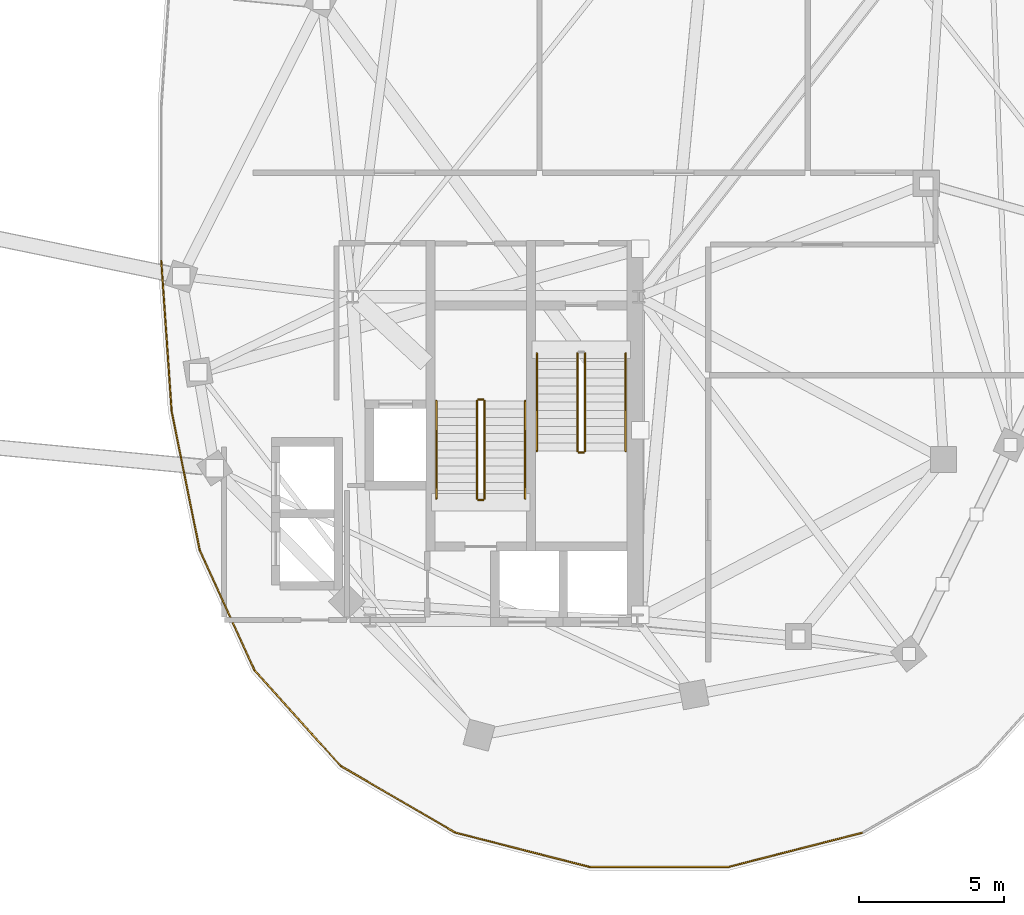
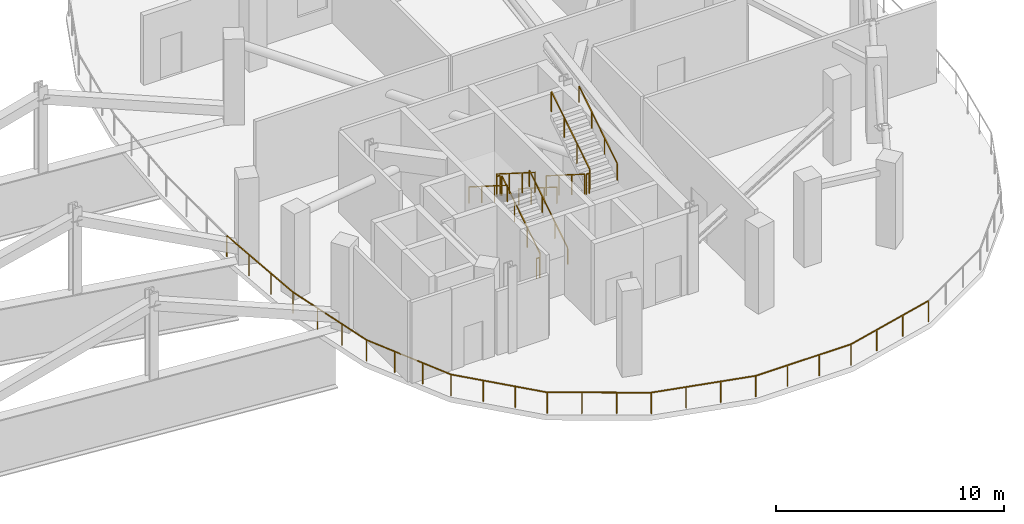
# One storey, part 14 of 16: 15 railings.
"""IFC4 building model written with IfcOpenShell, lengths in metres."""

from ifc_helpers import new_model, si_unit, direction, frame, origin, origin_2d, place, context, subcontext, project, spatial, rectangle, extrude, material, type_object, element, save


model = new_model("IFC4")

# Units and contexts
model_context = context("Model", 3, precision=1e-05, world=origin(), true_north=direction((0.0, 1.0)))
body_context = subcontext(model_context, "Body", "Model", "MODEL_VIEW")
ifc_project = project(units=[si_unit("LENGTHUNIT", "METRE"), si_unit("AREAUNIT", "SQUARE_METRE"), si_unit("VOLUMEUNIT", "CUBIC_METRE"), si_unit("PLANEANGLEUNIT", "RADIAN"), si_unit("MASSUNIT", "GRAM", prefix="KILO"), si_unit("THERMODYNAMICTEMPERATUREUNIT", "KELVIN"), si_unit("POWERUNIT", "WATT")], contexts=[model_context])

# Site, building, storey
site_placement = place(None, origin())
site = spatial("IfcSite", under=ifc_project, at=site_placement, CompositionType="ELEMENT")
building_placement = place(site_placement, origin())
building = spatial("IfcBuilding", under=site, at=building_placement, Name="Cundina Bronze Exchange", CompositionType="ELEMENT")
storey_placement = place(building_placement, frame((0.0, 0.0, 235.0)))
storey = spatial("IfcBuildingStorey", under=building, at=storey_placement, Name="L62", CompositionType="ELEMENT", Elevation=235.0)

# Railings
ifc_material_1 = material(Name="Anodised Bronze Aluminium 6063-T6", Category="aluminium")
railing_type_1 = type_object("IfcRailingType", Name="RLG-GRD-1150", PredefinedType="GUARDRAIL", material=ifc_material_1)
railing_1_placement = place(storey_placement, frame((39.01611328125, -22.351806640625, 0.0)))
element("IfcRailing", 1, at=railing_1_placement, inside=storey, type_object=railing_type_1, Name="L62 Perimeter Safety Guardrail 04", PredefinedType="GUARDRAIL", context=body_context, shape_type="SweptSolid", body=[
    extrude(rectangle(XDim=0.048095703125, YDim=0.048095703125, at=origin_2d()), frame((0.0, 0.0, 1.1259765625), z_axis=(-0.968744989664, -0.248058753123, 0.0), x_axis=(0.248058753123, -0.968744989664, 0.0)), (0.0, 0.0, 1.0), 4.749755859375),
    extrude(rectangle(XDim=0.048095703125, YDim=0.048095703125, at=origin_2d()), frame((-4.601318359375, -1.17822265625, 1.1259765625), z_axis=(-1.0, 0.0, 0.0), x_axis=(0.0, -1.0, 0.0)), (0.0, 0.0, 1.0), 4.82958984375),
    extrude(rectangle(XDim=0.0419921875, YDim=0.0419921875, at=origin_2d()), origin(), (0.0, 0.0, 1.0), 1.101806640625),
    extrude(rectangle(XDim=0.0419921875, YDim=0.0419921875, at=origin_2d()), frame((-1.53369140625, -0.392822265625, 0.0)), (0.0, 0.0, 1.0), 1.101806640625),
    extrude(rectangle(XDim=0.0419921875, YDim=0.0419921875, at=origin_2d()), frame((-3.067626953125, -0.785400390625, 0.0)), (0.0, 0.0, 1.0), 1.101806640625),
    extrude(rectangle(XDim=0.0419921875, YDim=0.0419921875, at=origin_2d()), frame((-4.601318359375, -1.17822265625, 0.0)), (0.0, 0.0, 1.0), 1.101806640625),
    extrude(rectangle(XDim=0.0419921875, YDim=0.0419921875, at=origin_2d()), frame((-6.211181640625, -1.17822265625, 0.0)), (0.0, 0.0, 1.0), 1.101806640625),
    extrude(rectangle(XDim=0.0419921875, YDim=0.0419921875, at=origin_2d()), frame((-7.821044921875, -1.17822265625, 0.0)), (0.0, 0.0, 1.0), 1.101806640625),
    extrude(rectangle(XDim=0.0419921875, YDim=0.0419921875, at=origin_2d()), frame((-9.430908203125, -1.17822265625, 0.0)), (0.0, 0.0, 1.0), 1.101806640625),
])
railing_2_placement = place(storey_placement, frame((29.585205078125, -23.530029296875, 0.0)))
element("IfcRailing", 2, at=railing_2_placement, inside=storey, type_object=railing_type_1, Name="L62 Perimeter Safety Guardrail 05", PredefinedType="GUARDRAIL", context=body_context, shape_type="SweptSolid", body=[
    extrude(rectangle(XDim=0.048095703125, YDim=0.048095703125, at=origin_2d()), frame((0.0, 0.0, 1.1259765625), z_axis=(-0.968744989664, 0.248058753123, 0.0), x_axis=(-0.248058753123, -0.968744989664, 0.0)), (0.0, 0.0, 1.0), 4.749755859375),
    extrude(rectangle(XDim=0.048095703125, YDim=0.048095703125, at=origin_2d()), frame((-4.601318359375, 1.17822265625, 1.1259765625), z_axis=(-0.864468804017, 0.502686469762, 0.0), x_axis=(-0.502686469762, -0.864468804017, 0.0)), (0.0, 0.0, 1.0), 4.56396484375),
    extrude(rectangle(XDim=0.0419921875, YDim=0.0419921875, at=origin_2d()), origin(), (0.0, 0.0, 1.0), 1.101806640625),
    extrude(rectangle(XDim=0.0419921875, YDim=0.0419921875, at=origin_2d()), frame((-1.53369140625, 0.392822265625, 0.0)), (0.0, 0.0, 1.0), 1.101806640625),
    extrude(rectangle(XDim=0.0419921875, YDim=0.0419921875, at=origin_2d()), frame((-3.067626953125, 0.785400390625, 0.0)), (0.0, 0.0, 1.0), 1.101806640625),
    extrude(rectangle(XDim=0.0419921875, YDim=0.0419921875, at=origin_2d()), frame((-4.601318359375, 1.17822265625, 0.0)), (0.0, 0.0, 1.0), 1.101806640625),
    extrude(rectangle(XDim=0.0419921875, YDim=0.0419921875, at=origin_2d()), frame((-5.91650390625, 1.94287109375, 0.0)), (0.0, 0.0, 1.0), 1.101806640625),
    extrude(rectangle(XDim=0.0419921875, YDim=0.0419921875, at=origin_2d()), frame((-7.2314453125, 2.707763671875, 0.0)), (0.0, 0.0, 1.0), 1.101806640625),
    extrude(rectangle(XDim=0.0419921875, YDim=0.0419921875, at=origin_2d()), frame((-8.546630859375, 3.472412109375, 0.0)), (0.0, 0.0, 1.0), 1.101806640625),
])
railing_3_placement = place(storey_placement, frame((21.03857421875, -20.0576171875, 0.0)))
element("IfcRailing", 3, at=railing_3_placement, inside=storey, type_object=railing_type_1, Name="L62 Perimeter Safety Guardrail 06", PredefinedType="GUARDRAIL", context=body_context, shape_type="SweptSolid", body=[
    extrude(rectangle(XDim=0.048095703125, YDim=0.048095703125, at=origin_2d()), frame((0.0, 0.0, 1.1259765625), z_axis=(-0.669381252421, 0.742919066189, 0.0), x_axis=(-0.742919066189, -0.669381252421, 0.0)), (0.0, 0.0, 1.0), 4.435546875),
    extrude(rectangle(XDim=0.048095703125, YDim=0.048095703125, at=origin_2d()), frame((-2.968994140625, 3.295166015625, 1.1259765625), z_axis=(-0.415419797692, 0.909629810244, 0.0), x_axis=(-0.909629810244, -0.415419797692, 0.0)), (0.0, 0.0, 1.0), 4.548828125),
    extrude(rectangle(XDim=0.0419921875, YDim=0.0419921875, at=origin_2d()), origin(), (0.0, 0.0, 1.0), 1.101806640625),
    extrude(rectangle(XDim=0.0419921875, YDim=0.0419921875, at=origin_2d()), frame((-0.98974609375, 1.098388671875, 0.0)), (0.0, 0.0, 1.0), 1.101806640625),
    extrude(rectangle(XDim=0.0419921875, YDim=0.0419921875, at=origin_2d()), frame((-1.979248046875, 2.19677734375, 0.0)), (0.0, 0.0, 1.0), 1.101806640625),
    extrude(rectangle(XDim=0.0419921875, YDim=0.0419921875, at=origin_2d()), frame((-2.968994140625, 3.295166015625, 0.0)), (0.0, 0.0, 1.0), 1.101806640625),
    extrude(rectangle(XDim=0.0419921875, YDim=0.0419921875, at=origin_2d()), frame((-3.598876953125, 4.67431640625, 0.0)), (0.0, 0.0, 1.0), 1.101806640625),
    extrude(rectangle(XDim=0.0419921875, YDim=0.0419921875, at=origin_2d()), frame((-4.228759765625, 6.0537109375, 0.0)), (0.0, 0.0, 1.0), 1.101806640625),
    extrude(rectangle(XDim=0.0419921875, YDim=0.0419921875, at=origin_2d()), frame((-4.858642578125, 7.432861328125, 0.0)), (0.0, 0.0, 1.0), 1.101806640625),
])
railing_4_placement = place(storey_placement, frame((16.179931640625, -12.624755859375, 0.0)))
element("IfcRailing", 4, at=railing_4_placement, inside=storey, type_object=railing_type_1, Name="L62 Perimeter Safety Guardrail 07", PredefinedType="GUARDRAIL", context=body_context, shape_type="SweptSolid", body=[
    extrude(rectangle(XDim=0.048095703125, YDim=0.048095703125, at=origin_2d()), frame((0.0, 0.0, 1.1259765625), z_axis=(-0.198060616224, 0.980189773616, 0.0), x_axis=(-0.980189773616, -0.198060616224, 0.0)), (0.0, 0.0, 1.0), 4.87646484375),
    extrude(rectangle(XDim=0.048095703125, YDim=0.048095703125, at=origin_2d()), frame((-0.9658203125, 4.77978515625, 1.1259765625), z_axis=(-0.068548934488, 0.997647755263, 0.0), x_axis=(-0.997647755263, -0.068548934488, 0.0)), (0.0, 0.0, 1.0), 5.1962890625),
    extrude(rectangle(XDim=0.0419921875, YDim=0.0419921875, at=origin_2d()), origin(), (0.0, 0.0, 1.0), 1.101806640625),
    extrude(rectangle(XDim=0.0419921875, YDim=0.0419921875, at=origin_2d()), frame((-0.322021484375, 1.59326171875, 0.0)), (0.0, 0.0, 1.0), 1.101806640625),
    extrude(rectangle(XDim=0.0419921875, YDim=0.0419921875, at=origin_2d()), frame((-0.643798828125, 3.1865234375, 0.0)), (0.0, 0.0, 1.0), 1.101806640625),
    extrude(rectangle(XDim=0.0419921875, YDim=0.0419921875, at=origin_2d()), frame((-0.9658203125, 4.77978515625, 0.0)), (0.0, 0.0, 1.0), 1.101806640625),
    extrude(rectangle(XDim=0.0419921875, YDim=0.0419921875, at=origin_2d()), frame((-1.08447265625, 6.5078125, 0.0)), (0.0, 0.0, 1.0), 1.101806640625),
    extrude(rectangle(XDim=0.0419921875, YDim=0.0419921875, at=origin_2d()), frame((-1.203369140625, 8.23583984375, 0.0)), (0.0, 0.0, 1.0), 1.101806640625),
    extrude(rectangle(XDim=0.0419921875, YDim=0.0419921875, at=origin_2d()), frame((-1.322021484375, 9.9638671875, 0.0)), (0.0, 0.0, 1.0), 1.101806640625),
])
ifc_material_2 = material(Name="Steel ASTM A36 Painted", Category="steel")
railing_type_2 = type_object("IfcRailingType", Name="RLG-HND-900", PredefinedType="HANDRAIL", material=ifc_material_2)
railing_5_placement = place(storey_placement, frame((27.7900390625, -5.85009765625, 0.177001953125)))
element("IfcRailing", 5, at=railing_5_placement, inside=storey, type_object=railing_type_2, Name="L62 ST-E1 stair handrail 1", PredefinedType="HANDRAIL", context=body_context, shape_type="SweptSolid", body=[
    extrude(rectangle(XDim=0.048095703125, YDim=0.048095703125, at=origin_2d()), frame((0.0, 0.0, 0.8759765625), z_axis=(0.0, -0.845372108799, 0.534177870812), x_axis=(1.0, 0.0, 0.0)), (0.0, 0.0, 1.0), 3.974365234375),
    extrude(rectangle(XDim=0.0419921875, YDim=0.0419921875, at=origin_2d()), origin(), (0.0, 0.0, 1.0), 0.851806640625),
    extrude(rectangle(XDim=0.0419921875, YDim=0.0419921875, at=origin_2d()), frame((0.0, -1.119873046875, 0.707763671875)), (0.0, 0.0, 1.0), 0.851806640625),
    extrude(rectangle(XDim=0.0419921875, YDim=0.0419921875, at=origin_2d()), frame((0.0, -2.239990234375, 1.415283203125)), (0.0, 0.0, 1.0), 0.851806640625),
    extrude(rectangle(XDim=0.0419921875, YDim=0.0419921875, at=origin_2d()), frame((0.0, -3.35986328125, 2.123046875)), (0.0, 0.0, 1.0), 0.851806640625),
])
railing_6_placement = place(storey_placement, frame((30.85009765625, -9.2099609375, 2.476806640625)))
element("IfcRailing", 6, at=railing_6_placement, inside=storey, type_object=railing_type_2, Name="L62 ST-E1 stair handrail 2", PredefinedType="HANDRAIL", context=body_context, shape_type="SweptSolid", body=[
    extrude(rectangle(XDim=0.048095703125, YDim=0.048095703125, at=origin_2d()), frame((0.0, 0.0, 0.8759765625), z_axis=(0.0, 0.845344368971, 0.534221768416), x_axis=(-1.0, 0.0, 0.0)), (0.0, 0.0, 1.0), 3.974609375),
    extrude(rectangle(XDim=0.0419921875, YDim=0.0419921875, at=origin_2d()), origin(), (0.0, 0.0, 1.0), 0.851806640625),
    extrude(rectangle(XDim=0.0419921875, YDim=0.0419921875, at=origin_2d()), frame((0.0, 1.119873046875, 0.707763671875)), (0.0, 0.0, 1.0), 0.851806640625),
    extrude(rectangle(XDim=0.0419921875, YDim=0.0419921875, at=origin_2d()), frame((0.0, 2.239990234375, 1.41552734375)), (0.0, 0.0, 1.0), 0.851806640625),
    extrude(rectangle(XDim=0.0419921875, YDim=0.0419921875, at=origin_2d()), frame((0.0, 3.35986328125, 2.123291015625)), (0.0, 0.0, 1.0), 0.851806640625),
])
railing_7_placement = place(storey_placement, frame((27.389892578125, -10.85009765625, 0.177001953125)))
element("IfcRailing", 7, at=railing_7_placement, inside=storey, type_object=railing_type_2, Name="L62 ST-E2 stair handrail 1", PredefinedType="HANDRAIL", context=body_context, shape_type="SweptSolid", body=[
    extrude(rectangle(XDim=0.048095703125, YDim=0.048095703125, at=origin_2d()), frame((0.0, 0.0, 0.8759765625), z_axis=(0.0, 0.845389635667, 0.534150132366), x_axis=(-1.0, 0.0, 0.0)), (0.0, 0.0, 1.0), 3.974609375),
    extrude(rectangle(XDim=0.0419921875, YDim=0.0419921875, at=origin_2d()), origin(), (0.0, 0.0, 1.0), 0.851806640625),
    extrude(rectangle(XDim=0.0419921875, YDim=0.0419921875, at=origin_2d()), frame((0.0, 1.1201171875, 0.707763671875)), (0.0, 0.0, 1.0), 0.851806640625),
    extrude(rectangle(XDim=0.0419921875, YDim=0.0419921875, at=origin_2d()), frame((0.0, 2.239990234375, 1.415283203125)), (0.0, 0.0, 1.0), 0.851806640625),
    extrude(rectangle(XDim=0.0419921875, YDim=0.0419921875, at=origin_2d()), frame((0.0, 3.360107421875, 2.123046875)), (0.0, 0.0, 1.0), 0.851806640625),
])
railing_8_placement = place(storey_placement, frame((24.330078125, -7.489990234375, 2.476806640625)))
element("IfcRailing", 8, at=railing_8_placement, inside=storey, type_object=railing_type_2, Name="L62 ST-E2 stair handrail 2", PredefinedType="HANDRAIL", context=body_context, shape_type="SweptSolid", body=[
    extrude(rectangle(XDim=0.048095703125, YDim=0.048095703125, at=origin_2d()), frame((0.0, 0.0, 0.8759765625), z_axis=(0.0, -0.845361898145, 0.534194029511), x_axis=(1.0, 0.0, 0.0)), (0.0, 0.0, 1.0), 3.974853515625),
    extrude(rectangle(XDim=0.0419921875, YDim=0.0419921875, at=origin_2d()), origin(), (0.0, 0.0, 1.0), 0.851806640625),
    extrude(rectangle(XDim=0.0419921875, YDim=0.0419921875, at=origin_2d()), frame((0.0, -1.1201171875, 0.707763671875)), (0.0, 0.0, 1.0), 0.851806640625),
    extrude(rectangle(XDim=0.0419921875, YDim=0.0419921875, at=origin_2d()), frame((0.0, -2.239990234375, 1.41552734375)), (0.0, 0.0, 1.0), 0.851806640625),
    extrude(rectangle(XDim=0.0419921875, YDim=0.0419921875, at=origin_2d()), frame((0.0, -3.360107421875, 2.123291015625)), (0.0, 0.0, 1.0), 0.851806640625),
])
railing_type_3 = type_object("IfcRailingType", Name="RLG-STG-1100", PredefinedType="GUARDRAIL", material=ifc_material_2)
railing_9_placement = place(storey_placement, frame((29.18994140625, -5.85009765625, 0.177001953125)))
element("IfcRailing", 9, at=railing_9_placement, inside=storey, type_object=railing_type_3, Name="L62 ST-E1 stair guard 1", PredefinedType="GUARDRAIL", context=body_context, shape_type="SweptSolid", body=[
    extrude(rectangle(XDim=0.048095703125, YDim=0.048095703125, at=origin_2d()), frame((0.0, 0.0, 1.076171875), z_axis=(0.0, -0.845372108799, 0.534177870812), x_axis=(1.0, 0.0, 0.0)), (0.0, 0.0, 1.0), 3.974365234375),
    extrude(rectangle(XDim=0.0419921875, YDim=0.0419921875, at=origin_2d()), origin(), (0.0, 0.0, 1.0), 1.052001953125),
    extrude(rectangle(XDim=0.0419921875, YDim=0.0419921875, at=origin_2d()), frame((0.0, -1.119873046875, 0.707763671875)), (0.0, 0.0, 1.0), 1.052001953125),
    extrude(rectangle(XDim=0.0419921875, YDim=0.0419921875, at=origin_2d()), frame((0.0, -2.239990234375, 1.415283203125)), (0.0, 0.0, 1.0), 1.052001953125),
    extrude(rectangle(XDim=0.0419921875, YDim=0.0419921875, at=origin_2d()), frame((0.0, -3.35986328125, 2.123046875)), (0.0, 0.0, 1.0), 1.052001953125),
])
railing_10_placement = place(storey_placement, frame((29.239990234375, -9.260009765625, 2.300048828125)))
element("IfcRailing", 10, at=railing_10_placement, inside=storey, type_object=railing_type_3, Name="L62 ST-E1 stair guard 2", PredefinedType="GUARDRAIL", context=body_context, shape_type="SweptSolid", body=[
    extrude(rectangle(XDim=0.048095703125, YDim=0.048095703125, at=origin_2d()), frame((0.0, 0.0, 1.076171875), z_axis=(1.0, 0.0, 0.0), x_axis=(0.0, 1.0, 0.0)), (0.0, 0.0, 1.0), 0.159912109375),
    extrude(rectangle(XDim=0.0419921875, YDim=0.0419921875, at=origin_2d()), origin(), (0.0, 0.0, 1.0), 1.052001953125),
    extrude(rectangle(XDim=0.0419921875, YDim=0.0419921875, at=origin_2d()), frame((0.159912109375, 0.0, 0.0)), (0.0, 0.0, 1.0), 1.052001953125),
])
railing_11_placement = place(storey_placement, frame((29.449951171875, -9.2099609375, 2.476806640625)))
element("IfcRailing", 11, at=railing_11_placement, inside=storey, type_object=railing_type_3, Name="L62 ST-E1 stair guard 3", PredefinedType="GUARDRAIL", context=body_context, shape_type="SweptSolid", body=[
    extrude(rectangle(XDim=0.048095703125, YDim=0.048095703125, at=origin_2d()), frame((0.0, 0.0, 1.076171875), z_axis=(0.0, 0.845344368971, 0.534221768416), x_axis=(-1.0, 0.0, 0.0)), (0.0, 0.0, 1.0), 3.974609375),
    extrude(rectangle(XDim=0.0419921875, YDim=0.0419921875, at=origin_2d()), origin(), (0.0, 0.0, 1.0), 1.052001953125),
    extrude(rectangle(XDim=0.0419921875, YDim=0.0419921875, at=origin_2d()), frame((0.0, 1.119873046875, 0.707763671875)), (0.0, 0.0, 1.0), 1.052001953125),
    extrude(rectangle(XDim=0.0419921875, YDim=0.0419921875, at=origin_2d()), frame((0.0, 2.239990234375, 1.41552734375)), (0.0, 0.0, 1.0), 1.052001953125),
    extrude(rectangle(XDim=0.0419921875, YDim=0.0419921875, at=origin_2d()), frame((0.0, 3.35986328125, 2.123291015625)), (0.0, 0.0, 1.0), 1.052001953125),
])
railing_12_placement = place(storey_placement, frame((25.989990234375, -10.85009765625, 0.177001953125)))
element("IfcRailing", 12, at=railing_12_placement, inside=storey, type_object=railing_type_3, Name="L62 ST-E2 stair guard 1", PredefinedType="GUARDRAIL", context=body_context, shape_type="SweptSolid", body=[
    extrude(rectangle(XDim=0.048095703125, YDim=0.048095703125, at=origin_2d()), frame((0.0, 0.0, 1.076171875), z_axis=(0.0, 0.845389635667, 0.534150132366), x_axis=(-1.0, 0.0, 0.0)), (0.0, 0.0, 1.0), 3.974609375),
    extrude(rectangle(XDim=0.0419921875, YDim=0.0419921875, at=origin_2d()), origin(), (0.0, 0.0, 1.0), 1.052001953125),
    extrude(rectangle(XDim=0.0419921875, YDim=0.0419921875, at=origin_2d()), frame((0.0, 1.1201171875, 0.707763671875)), (0.0, 0.0, 1.0), 1.052001953125),
    extrude(rectangle(XDim=0.0419921875, YDim=0.0419921875, at=origin_2d()), frame((0.0, 2.239990234375, 1.415283203125)), (0.0, 0.0, 1.0), 1.052001953125),
    extrude(rectangle(XDim=0.0419921875, YDim=0.0419921875, at=origin_2d()), frame((0.0, 3.360107421875, 2.123046875)), (0.0, 0.0, 1.0), 1.052001953125),
])
railing_13_placement = place(storey_placement, frame((25.93994140625, -7.43994140625, 2.300048828125)))
element("IfcRailing", 13, at=railing_13_placement, inside=storey, type_object=railing_type_3, Name="L62 ST-E2 stair guard 2", PredefinedType="GUARDRAIL", context=body_context, shape_type="SweptSolid", body=[
    extrude(rectangle(XDim=0.048095703125, YDim=0.048095703125, at=origin_2d()), frame((0.0, 0.0, 1.076171875), z_axis=(-1.0, 0.0, 0.0), x_axis=(0.0, -1.0, 0.0)), (0.0, 0.0, 1.0), 0.159912109375),
    extrude(rectangle(XDim=0.0419921875, YDim=0.0419921875, at=origin_2d()), origin(), (0.0, 0.0, 1.0), 1.052001953125),
    extrude(rectangle(XDim=0.0419921875, YDim=0.0419921875, at=origin_2d()), frame((-0.159912109375, 0.0, 0.0)), (0.0, 0.0, 1.0), 1.052001953125),
])
railing_14_placement = place(storey_placement, frame((25.72998046875, -7.489990234375, 2.476806640625)))
element("IfcRailing", 14, at=railing_14_placement, inside=storey, type_object=railing_type_3, Name="L62 ST-E2 stair guard 3", PredefinedType="GUARDRAIL", context=body_context, shape_type="SweptSolid", body=[
    extrude(rectangle(XDim=0.048095703125, YDim=0.048095703125, at=origin_2d()), frame((0.0, 0.0, 1.076171875), z_axis=(0.0, -0.845361898145, 0.534194029511), x_axis=(1.0, 0.0, 0.0)), (0.0, 0.0, 1.0), 3.974853515625),
    extrude(rectangle(XDim=0.0419921875, YDim=0.0419921875, at=origin_2d()), origin(), (0.0, 0.0, 1.0), 1.052001953125),
    extrude(rectangle(XDim=0.0419921875, YDim=0.0419921875, at=origin_2d()), frame((0.0, -1.1201171875, 0.707763671875)), (0.0, 0.0, 1.0), 1.052001953125),
    extrude(rectangle(XDim=0.0419921875, YDim=0.0419921875, at=origin_2d()), frame((0.0, -2.239990234375, 1.41552734375)), (0.0, 0.0, 1.0), 1.052001953125),
    extrude(rectangle(XDim=0.0419921875, YDim=0.0419921875, at=origin_2d()), frame((0.0, -3.360107421875, 2.123291015625)), (0.0, 0.0, 1.0), 1.052001953125),
])
railing_15_placement = place(storey_placement, frame((25.93994140625, -10.89990234375, 0.0)))
element("IfcRailing", 15, at=railing_15_placement, inside=storey, type_object=railing_type_3, Name="L62 ST-E2 stair guard 4", PredefinedType="GUARDRAIL", context=body_context, shape_type="SweptSolid", body=[
    extrude(rectangle(XDim=0.048095703125, YDim=0.048095703125, at=origin_2d()), frame((0.0, 0.0, 1.076171875), z_axis=(-1.0, 0.0, 0.0), x_axis=(0.0, -1.0, 0.0)), (0.0, 0.0, 1.0), 0.159912109375),
    extrude(rectangle(XDim=0.0419921875, YDim=0.0419921875, at=origin_2d()), origin(), (0.0, 0.0, 1.0), 1.052001953125),
    extrude(rectangle(XDim=0.0419921875, YDim=0.0419921875, at=origin_2d()), frame((-0.159912109375, 0.0, 0.0)), (0.0, 0.0, 1.0), 1.052001953125),
])

save(model, "model.ifc")
